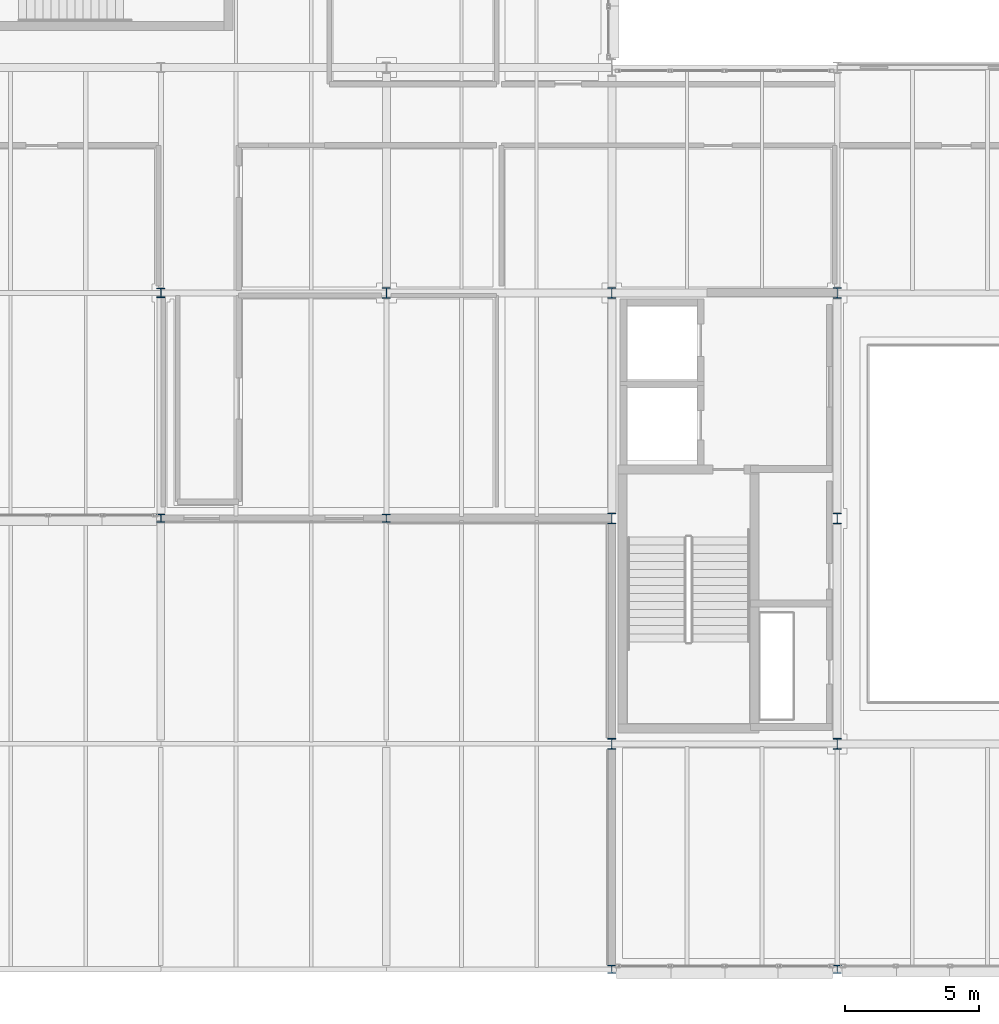
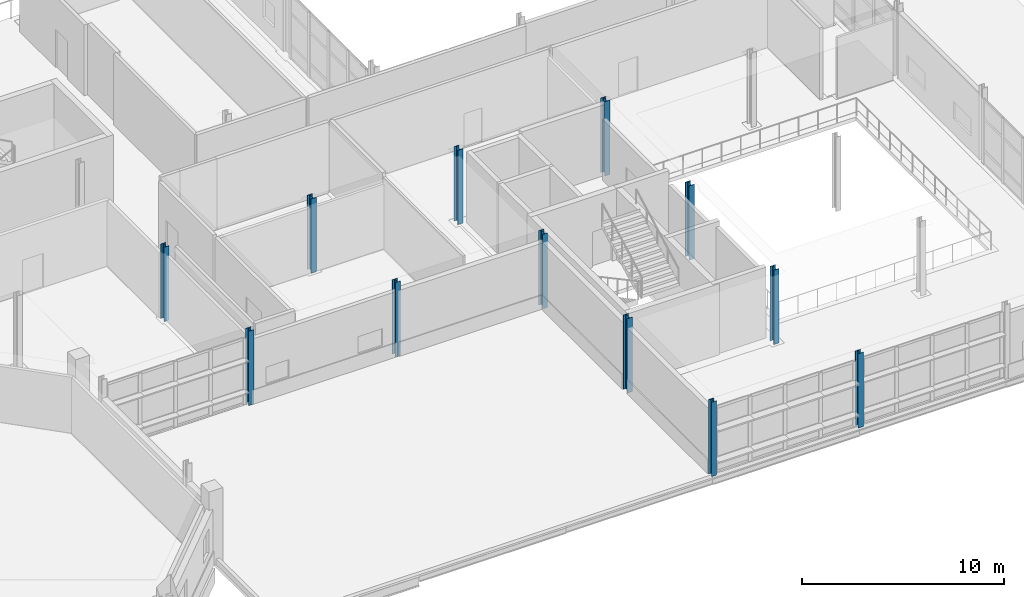
# One storey, part 5 of 129: 12 columns.
"""IFC4 building model written with IfcOpenShell, lengths in metres."""

from ifc_helpers import new_model, si_unit, direction, frame, origin, origin_2d, place, context, subcontext, project, spatial, i_section, extrude, material, material_profile, profile_set, type_object, element, save


model = new_model("IFC4")

# Units and contexts
model_context = context("Model", 3, precision=1e-05, world=origin(), true_north=direction((0.0, 1.0)))
body_context = subcontext(model_context, "Body", "Model", "MODEL_VIEW")
ifc_project = project(units=[si_unit("LENGTHUNIT", "METRE"), si_unit("AREAUNIT", "SQUARE_METRE"), si_unit("VOLUMEUNIT", "CUBIC_METRE"), si_unit("PLANEANGLEUNIT", "RADIAN"), si_unit("MASSUNIT", "GRAM", prefix="KILO")], contexts=[model_context])

# Site, building, storey
site_placement = place(None, origin())
site = spatial("IfcSite", under=ifc_project, at=site_placement, CompositionType="ELEMENT")
building_placement = place(site_placement, origin())
building = spatial("IfcBuilding", under=site, at=building_placement, Name="Mersafa Astral City Hall", CompositionType="ELEMENT")
storey_placement = place(building_placement, frame((0.0, 0.0, 5.39990234375)))
storey = spatial("IfcBuildingStorey", under=building, at=storey_placement, Name="L01", CompositionType="ELEMENT", Elevation=5.39990234375)

# Columns
ifc_material = material(Name="Steel S355", Category="steel")
ifc_material_profile_1 = material_profile(ifc_material, i_section(OverallWidth=0.300048828125, OverallDepth=0.300048828125, WebThickness=0.010986328125, FlangeThickness=0.01904296875, FilletRadius=0.027099609375, at=origin_2d()), Name="HEB 300")
ifc_profile_set_1 = profile_set([ifc_material_profile_1], Name="Steel S355")
column_type_1 = type_object("IfcColumnType", Name="STR-COL-HEB300", PredefinedType="COLUMN", material=ifc_profile_set_1)
for number, where, z_axis, x_axis, name in (
    (1, (100.800048828125, 16.800048828125, 0.0), (0.0, 0.0, 1.0), (1.0, 0.0, 0.0), "L01 Structural column G-12-02"),
    (2, (109.199951171875, 16.800048828125, 0.0), (0.0, 0.0, 1.0), (1.0, 0.0, 0.0), "L01 Structural column G-13-02"),
    (3, (117.60009765625, 0.0, 0.0), (0.0, 0.0, 1.0), (1.0, 0.0, 0.0), "L01 Structural column G-14-00"),
    (4, (126.0, 0.0, 0.0), (0.0, 0.0, 1.0), (1.0, 0.0, 0.0), "L01 Structural column G-15-00"),
):
    element("IfcColumn", number, at=place(storey_placement, frame(where, z_axis=z_axis, x_axis=x_axis)), inside=storey, type_object=column_type_1, Name=name, PredefinedType="COLUMN", context=body_context, shape_type="SweptSolid", body=[
        extrude(i_section(OverallWidth=0.300048828125, OverallDepth=0.300048828125, WebThickness=0.010986328125, FlangeThickness=0.01904296875, FilletRadius=0.027099609375, at=origin_2d()), origin(), (0.0, 0.0, 1.0), 4.5),
    ])
ifc_material_profile_2 = material_profile(ifc_material, i_section(OverallWidth=0.300048828125, OverallDepth=0.340087890625, WebThickness=0.011962890625, FlangeThickness=0.021484375, FilletRadius=0.027099609375, at=origin_2d()), Name="HEB 340")
ifc_profile_set_2 = profile_set([ifc_material_profile_2], Name="Steel S355")
column_type_2 = type_object("IfcColumnType", Name="STR-COL-HEB340", PredefinedType="COLUMN", material=ifc_profile_set_2)
column_placement = place(storey_placement, frame((100.800048828125, 25.199951171875, 0.0), z_axis=(0.0, 0.0, 1.0), x_axis=(1.0, 0.0, 0.0)))
element("IfcColumn", 5, at=column_placement, inside=storey, type_object=column_type_2, Name="L01 Structural column G-12-03", PredefinedType="COLUMN", context=body_context, shape_type="SweptSolid", body=[
    extrude(i_section(OverallWidth=0.300048828125, OverallDepth=0.340087890625, WebThickness=0.011962890625, FlangeThickness=0.021484375, FilletRadius=0.027099609375, at=origin_2d()), origin(), (0.0, 0.0, 1.0), 4.5),
])
ifc_material_profile_3 = material_profile(ifc_material, i_section(OverallWidth=0.300048828125, OverallDepth=0.39990234375, WebThickness=0.013427734375, FlangeThickness=0.02392578125, FilletRadius=0.027099609375, at=origin_2d()), Name="HEB 400")
ifc_profile_set_3 = profile_set([ifc_material_profile_3], Name="Steel S355")
column_type_3 = type_object("IfcColumnType", Name="STR-COL-HEB400", PredefinedType="COLUMN", material=ifc_profile_set_3)
for number, where, z_axis, x_axis, name in (
    (6, (109.199951171875, 25.199951171875, 0.0), (0.0, 0.0, 1.0), (1.0, 0.0, 0.0), "L01 Structural column G-13-03"),
    (7, (117.60009765625, 8.39990234375, 0.0), (0.0, 0.0, 1.0), (1.0, 0.0, 0.0), "L01 Structural column G-14-01"),
    (8, (117.60009765625, 16.800048828125, 0.0), (0.0, 0.0, 1.0), (1.0, 0.0, 0.0), "L01 Structural column G-14-02"),
    (9, (117.60009765625, 25.199951171875, 0.0), (0.0, 0.0, 1.0), (1.0, 0.0, 0.0), "L01 Structural column G-14-03"),
    (10, (126.0, 8.39990234375, 0.0), (0.0, 0.0, 1.0), (1.0, 0.0, 0.0), "L01 Structural column G-15-01"),
    (11, (126.0, 16.800048828125, 0.0), (0.0, 0.0, 1.0), (1.0, 0.0, 0.0), "L01 Structural column G-15-02"),
    (12, (126.0, 25.199951171875, 0.0), (0.0, 0.0, 1.0), (1.0, 0.0, 0.0), "L01 Structural column G-15-03"),
):
    element("IfcColumn", number, at=place(storey_placement, frame(where, z_axis=z_axis, x_axis=x_axis)), inside=storey, type_object=column_type_3, Name=name, PredefinedType="COLUMN", context=body_context, shape_type="SweptSolid", body=[
        extrude(i_section(OverallWidth=0.300048828125, OverallDepth=0.39990234375, WebThickness=0.013427734375, FlangeThickness=0.02392578125, FilletRadius=0.027099609375, at=origin_2d()), origin(), (0.0, 0.0, 1.0), 4.5),
    ])

save(model, "model.ifc")
